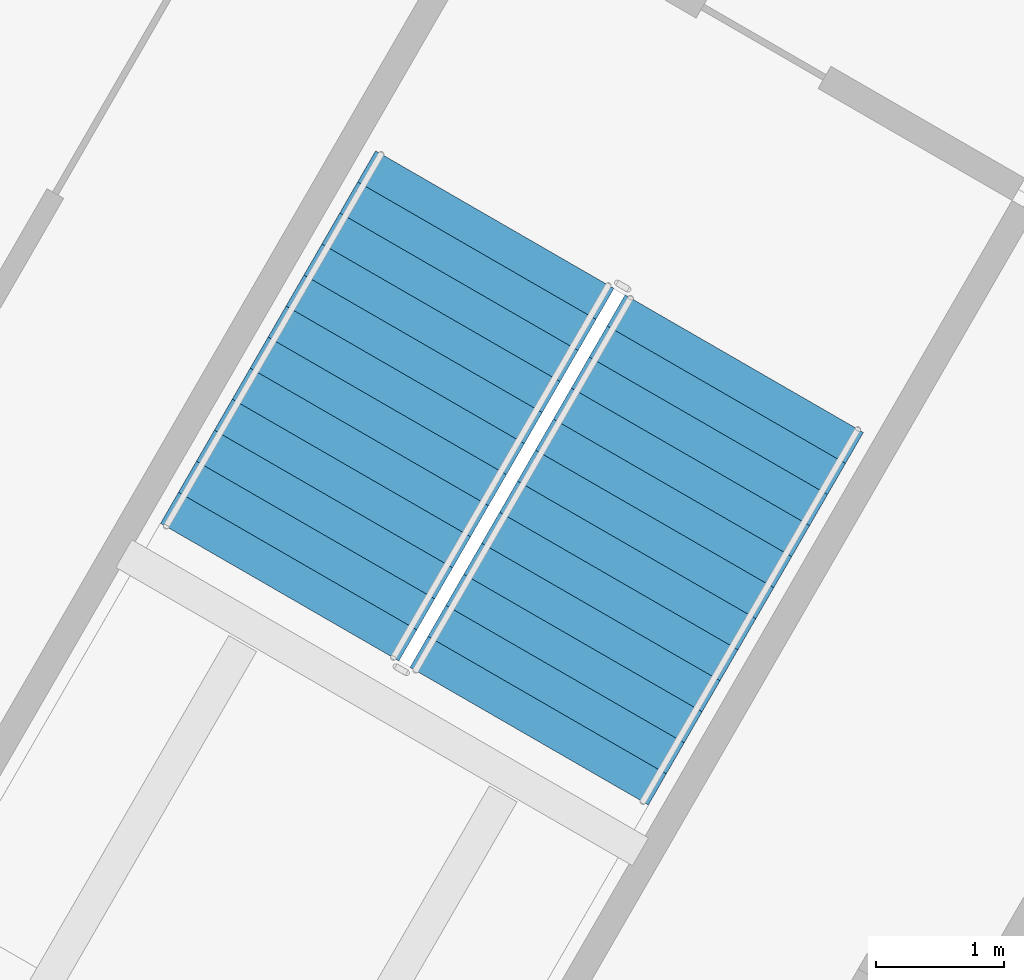
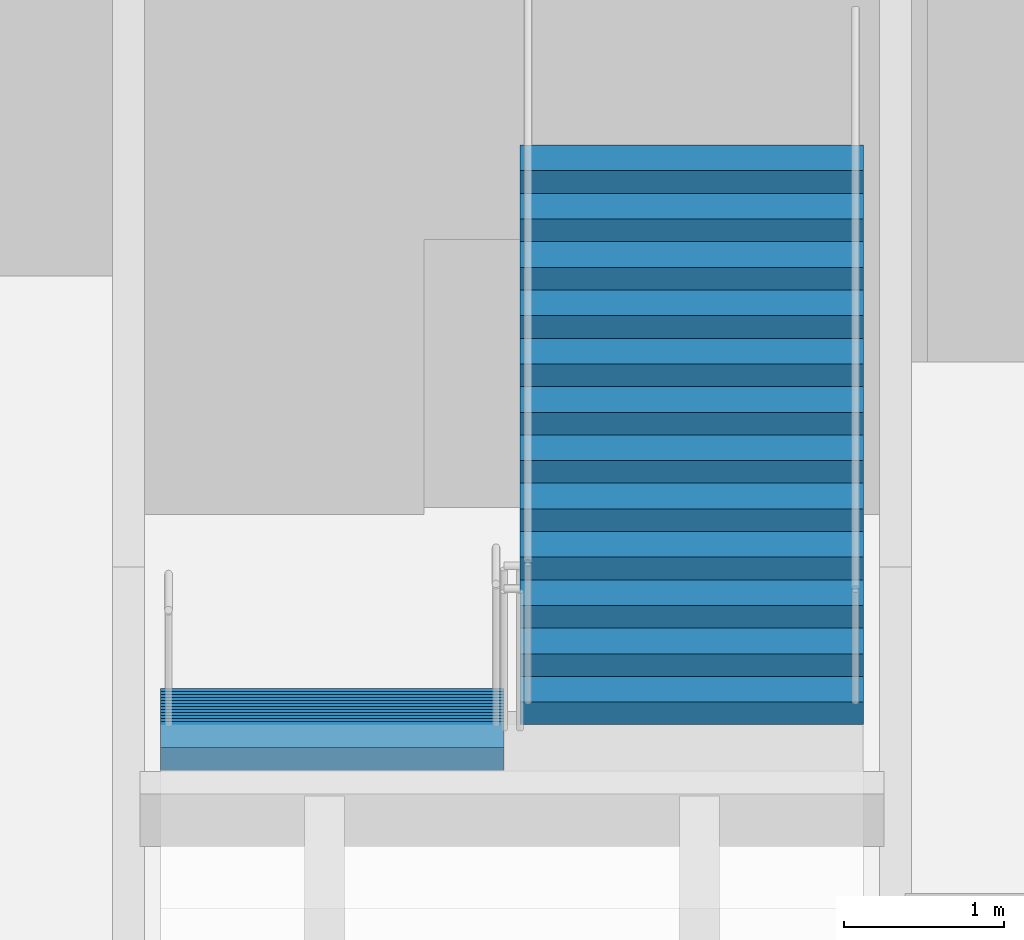
# One storey, part 10 of 20: 2 stair flights, 1 element without a shape of its own.
"""IFC4 building model written with IfcOpenShell, lengths in metres."""

from ifc_helpers import new_model, si_unit, direction, frame, origin, place, context, subcontext, project, spatial, triangles, material, type_object, element, aggregate, save


model = new_model("IFC4")

# Units and contexts
model_context = context("Model", 3, precision=1e-05, world=origin(), true_north=direction((0.0, 1.0)))
body_context = subcontext(model_context, "Body", "Model", "MODEL_VIEW")
ifc_project = project(units=[si_unit("LENGTHUNIT", "METRE"), si_unit("AREAUNIT", "SQUARE_METRE"), si_unit("VOLUMEUNIT", "CUBIC_METRE"), si_unit("PLANEANGLEUNIT", "RADIAN"), si_unit("MASSUNIT", "GRAM", prefix="KILO")], contexts=[model_context])

# Site, building, storey
site_placement = place(None, origin())
site = spatial("IfcSite", under=ifc_project, at=site_placement, CompositionType="ELEMENT")
building_placement = place(site_placement, origin())
building = spatial("IfcBuilding", under=site, at=building_placement, Name="Verdalira Terraces Hotel", CompositionType="ELEMENT")
storey_placement = place(building_placement, frame((0.0, 0.0, 23.5)))
storey = spatial("IfcBuildingStorey", under=building, at=storey_placement, Name="L04", CompositionType="ELEMENT", Elevation=23.5)

# Stair, stair flights
ifc_material_1 = material(Name="Concrete C40", Category="concrete")
stair_type = type_object("IfcStairType", Name="Podium stair 26 risers", PredefinedType="HALF_TURN_STAIR", material=ifc_material_1)
stair_placement = place(storey_placement, origin())
stair = element("IfcStair", 1, at=stair_placement, inside=storey, type_object=stair_type, Name="L04 Exit stair PS3", PredefinedType="HALF_TURN_STAIR")
ifc_material_2 = material(Name="Concrete C40", Category="concrete")
stair_flight_type = type_object("IfcStairFlightType", Name="Podium stair flight 26 risers", PredefinedType="STRAIGHT", material=ifc_material_2)
stair_flight_1_placement = place(storey_placement, frame((27.806396, -15.187988, 0.0), z_axis=(0.0, 0.0, 1.0), x_axis=(-0.5, -0.866025404, 0.0)))
stair_flight_1 = element("IfcStairFlight", 2, at=stair_flight_1_placement, type_object=stair_flight_type, Name="PS3 flight 1", NumberOfRisers=13, NumberOfTreads=12, PredefinedType="STRAIGHT", RiserHeight=0.173076923, TreadLength=0.28, context=body_context, shape_type="Tessellation", body=[
    triangles([(0.0, 1.074951, 0.0), (0.285156, 1.074951, 0.0), (3.360107, 1.074951, 1.900635), (0.0, -1.074951, 0.0), (0.285156, -1.074951, 0.0), (3.360107, -1.074951, 1.900635), (3.360107, 1.074951, 2.076904), (3.080078, 1.074951, 2.076904), (3.360107, -1.074951, 2.076904), (3.080078, -1.074951, 2.076904), (3.080078, 1.074951, 1.903809), (3.080078, -1.074951, 1.903809), (2.800049, 1.074951, 1.903809), (2.800049, -1.074951, 1.903809), (2.800049, 1.074951, 1.730713), (2.800049, -1.074951, 1.730713), (2.52002, 1.074951, 1.730713), (2.52002, 1.074951, 1.557617), (2.52002, -1.074951, 1.730713), (2.52002, -1.074951, 1.557617), (2.23999, 1.074951, 1.557617), (2.23999, 1.074951, 1.384521), (2.23999, -1.074951, 1.557617), (2.23999, -1.074951, 1.384521), (1.959961, 1.074951, 1.384521), (1.959961, 1.074951, 1.211426), (1.959961, -1.074951, 1.384521), (1.959961, -1.074951, 1.211426), (1.679932, 1.074951, 1.211426), (1.679932, 1.074951, 1.038574), (1.679932, -1.074951, 1.211426), (1.679932, -1.074951, 1.038574), (1.399902, 1.074951, 1.038574), (1.399902, 1.074951, 0.865479), (1.399902, -1.074951, 1.038574), (1.399902, -1.074951, 0.865479), (1.120117, 1.074951, 0.865479), (1.120117, 1.074951, 0.692383), (1.120117, -1.074951, 0.865479), (1.120117, -1.074951, 0.692383), (0.840088, 1.074951, 0.692383), (0.840088, 1.074951, 0.519287), (0.840088, -1.074951, 0.692383), (0.840088, -1.074951, 0.519287), (0.560059, 1.074951, 0.519287), (0.560059, 1.074951, 0.346191), (0.560059, -1.074951, 0.519287), (0.560059, -1.074951, 0.346191), (0.280029, 1.074951, 0.346191), (0.280029, 1.074951, 0.173096), (0.280029, -1.074951, 0.346191), (0.280029, -1.074951, 0.173096), (0.0, 1.074951, 0.173096), (0.0, -1.074951, 0.173096), (0.0, -1.007767, 0.0), (0.0, -1.007767, 0.173096), (0.0, -0.940582, 0.0), (0.0, -0.940582, 0.173096), (0.0, -0.873398, 0.0), (0.0, -0.873398, 0.173096), (0.0, -0.806213, 0.0), (0.0, -0.806213, 0.173096), (0.0, -0.739029, 0.0), (0.0, -0.739029, 0.173096), (0.0, -0.671844, 0.0), (0.0, -0.671844, 0.173096), (0.0, -0.60466, 0.0), (0.0, -0.60466, 0.173096), (0.0, -0.537476, 0.0), (0.0, -0.537476, 0.173096), (0.0, -0.470291, 0.0), (0.0, -0.470291, 0.173096), (0.0, -0.403107, 0.0), (0.0, -0.403107, 0.173096), (0.0, -0.335922, 0.0), (0.0, -0.335922, 0.173096), (0.0, -0.268738, 0.0), (0.0, -0.268738, 0.173096), (0.0, -0.201553, 0.0), (0.0, -0.201553, 0.173096), (0.0, -0.134369, 0.0), (0.0, -0.134369, 0.173096), (0.0, -0.067184, 0.0), (0.0, -0.067184, 0.173096), (0.0, 0.0, 0.0), (0.0, 0.0, 0.173096), (0.0, 0.067184, 0.0), (0.0, 0.067184, 0.173096), (0.0, 0.134369, 0.0), (0.0, 0.134369, 0.173096), (0.0, 0.201553, 0.0), (0.0, 0.201553, 0.173096), (0.0, 0.268738, 0.0), (0.0, 0.268738, 0.173096), (0.0, 0.335922, 0.0), (0.0, 0.335922, 0.173096), (0.0, 0.403107, 0.0), (0.0, 0.403107, 0.173096), (0.0, 0.470291, 0.0), (0.0, 0.470291, 0.173096), (0.0, 0.537476, 0.0), (0.0, 0.537476, 0.173096), (0.0, 0.60466, 0.0), (0.0, 0.60466, 0.173096), (0.0, 0.671844, 0.0), (0.0, 0.671844, 0.173096), (0.0, 0.739029, 0.0), (0.0, 0.739029, 0.173096), (0.0, 0.806213, 0.0), (0.0, 0.806213, 0.173096), (0.0, 0.873398, 0.0), (0.0, 0.873398, 0.173096), (0.0, 0.940582, 0.0), (0.0, 0.940582, 0.173096), (0.0, 1.007767, 0.0), (0.0, 1.007767, 0.173096), (3.360107, -1.007767, 2.076904), (3.360107, -0.940582, 2.076904), (3.360107, -0.873398, 2.076904), (3.360107, -0.806213, 2.076904), (3.360107, -0.739029, 2.076904), (3.360107, -0.671844, 2.076904), (3.360107, -0.60466, 2.076904), (3.360107, -0.537476, 2.076904), (3.360107, -0.470291, 2.076904), (3.360107, -0.403107, 2.076904), (3.360107, -0.335922, 2.076904), (3.360107, -0.268738, 2.076904), (3.360107, -0.201553, 2.076904), (3.360107, -0.134369, 2.076904), (3.360107, -0.067184, 2.076904), (3.360107, 0.0, 2.076904), (3.360107, 0.067184, 2.076904), (3.360107, 0.134369, 2.076904), (3.360107, 0.201553, 2.076904), (3.360107, 0.268738, 2.076904), (3.360107, 0.335922, 2.076904), (3.360107, 0.403107, 2.076904), (3.360107, 0.470291, 2.076904), (3.360107, 0.537476, 2.076904), (3.360107, 0.60466, 2.076904), (3.360107, 0.671844, 2.076904), (3.360107, 0.739029, 2.076904), (3.360107, 0.806213, 2.076904), (3.360107, 0.873398, 2.076904), (3.360107, 0.940582, 2.076904), (3.360107, 1.007767, 2.076904), (3.360107, -1.007767, 1.900635), (3.360107, -0.940582, 1.900635), (3.360107, -0.873398, 1.900635), (3.360107, -0.806213, 1.900635), (3.360107, -0.739029, 1.900635), (3.360107, -0.671844, 1.900635), (3.360107, -0.60466, 1.900635), (3.360107, -0.537476, 1.900635), (3.360107, -0.470291, 1.900635), (3.360107, -0.403107, 1.900635), (3.360107, -0.335922, 1.900635), (3.360107, -0.268738, 1.900635), (3.360107, -0.201553, 1.900635), (3.360107, -0.134369, 1.900635), (3.360107, -0.067184, 1.900635), (3.360107, 0.0, 1.900635), (3.360107, 0.067184, 1.900635), (3.360107, 0.134369, 1.900635), (3.360107, 0.201553, 1.900635), (3.360107, 0.268738, 1.900635), (3.360107, 0.335922, 1.900635), (3.360107, 0.403107, 1.900635), (3.360107, 0.470291, 1.900635), (3.360107, 0.537476, 1.900635), (3.360107, 0.60466, 1.900635), (3.360107, 0.671844, 1.900635), (3.360107, 0.739029, 1.900635), (3.360107, 0.806213, 1.900635), (3.360107, 0.873398, 1.900635), (3.360107, 0.940582, 1.900635), (3.360107, 1.007767, 1.900635)], [[1, 3, 2], [4, 5, 6], [3, 8, 7], [6, 9, 10], [3, 11, 8], [6, 10, 12], [3, 13, 11], [6, 12, 14], [3, 15, 13], [6, 14, 16], [15, 18, 17], [16, 19, 20], [3, 18, 15], [6, 16, 20], [18, 22, 21], [20, 23, 24], [3, 22, 18], [6, 20, 24], [22, 26, 25], [24, 27, 28], [3, 26, 22], [6, 24, 28], [1, 26, 3], [4, 6, 28], [26, 30, 29], [28, 31, 32], [30, 34, 33], [32, 35, 36], [26, 34, 30], [28, 32, 36], [34, 38, 37], [36, 39, 40], [26, 38, 34], [28, 36, 40], [38, 42, 41], [40, 43, 44], [26, 42, 38], [28, 40, 44], [42, 46, 45], [44, 47, 48], [26, 46, 42], [28, 44, 48], [46, 50, 49], [48, 51, 52], [26, 50, 46], [28, 48, 52], [1, 50, 26], [4, 28, 52], [50, 1, 53], [52, 54, 4], [4, 56, 55], [4, 54, 56], [55, 58, 57], [55, 56, 58], [57, 60, 59], [57, 58, 60], [59, 62, 61], [59, 60, 62], [61, 64, 63], [61, 62, 64], [63, 66, 65], [63, 64, 66], [65, 68, 67], [65, 66, 68], [67, 70, 69], [67, 68, 70], [69, 72, 71], [69, 70, 72], [71, 74, 73], [71, 72, 74], [73, 76, 75], [73, 74, 76], [75, 78, 77], [75, 76, 78], [77, 80, 79], [77, 78, 80], [79, 82, 81], [79, 80, 82], [81, 84, 83], [81, 82, 84], [83, 86, 85], [83, 84, 86], [85, 88, 87], [85, 86, 88], [87, 90, 89], [87, 88, 90], [89, 92, 91], [89, 90, 92], [91, 94, 93], [91, 92, 94], [93, 96, 95], [93, 94, 96], [95, 98, 97], [95, 96, 98], [97, 100, 99], [97, 98, 100], [99, 102, 101], [99, 100, 102], [101, 104, 103], [101, 102, 104], [103, 106, 105], [103, 104, 106], [105, 108, 107], [105, 106, 108], [107, 110, 109], [107, 108, 110], [109, 112, 111], [109, 110, 112], [111, 114, 113], [111, 112, 114], [113, 116, 115], [113, 114, 116], [115, 53, 1], [115, 116, 53], [54, 52, 56], [56, 52, 58], [58, 52, 60], [60, 52, 62], [62, 52, 64], [64, 52, 66], [66, 52, 68], [68, 52, 70], [70, 52, 72], [72, 52, 74], [74, 52, 76], [76, 52, 78], [78, 52, 80], [80, 52, 82], [82, 52, 84], [84, 52, 86], [86, 52, 88], [88, 52, 90], [90, 52, 92], [92, 52, 94], [94, 52, 96], [96, 52, 98], [98, 52, 100], [100, 52, 102], [102, 52, 104], [104, 52, 106], [106, 52, 108], [108, 52, 110], [110, 52, 112], [112, 52, 114], [114, 52, 116], [116, 52, 53], [53, 52, 50], [52, 49, 50], [52, 51, 49], [51, 46, 49], [51, 48, 46], [48, 45, 46], [48, 47, 45], [47, 42, 45], [47, 44, 42], [44, 41, 42], [44, 43, 41], [43, 38, 41], [43, 40, 38], [40, 37, 38], [40, 39, 37], [39, 34, 37], [39, 36, 34], [36, 33, 34], [36, 35, 33], [35, 30, 33], [35, 32, 30], [32, 29, 30], [32, 31, 29], [31, 26, 29], [31, 28, 26], [28, 25, 26], [28, 27, 25], [27, 22, 25], [27, 24, 22], [24, 21, 22], [24, 23, 21], [23, 18, 21], [23, 20, 18], [20, 17, 18], [20, 19, 17], [19, 15, 17], [19, 16, 15], [16, 13, 15], [16, 14, 13], [14, 11, 13], [14, 12, 11], [12, 8, 11], [12, 10, 8], [9, 117, 10], [117, 118, 10], [118, 119, 10], [119, 120, 10], [120, 121, 10], [121, 122, 10], [122, 123, 10], [123, 124, 10], [124, 125, 10], [125, 126, 10], [126, 127, 10], [127, 128, 10], [128, 129, 10], [129, 130, 10], [130, 131, 10], [131, 132, 10], [132, 133, 10], [133, 134, 10], [134, 135, 10], [135, 136, 10], [136, 137, 10], [137, 138, 10], [138, 139, 10], [139, 140, 10], [140, 141, 10], [141, 142, 10], [142, 143, 10], [143, 144, 10], [144, 145, 10], [145, 146, 10], [146, 147, 10], [147, 7, 10], [7, 8, 10], [9, 148, 117], [9, 6, 148], [117, 149, 118], [117, 148, 149], [118, 150, 119], [118, 149, 150], [119, 151, 120], [119, 150, 151], [120, 152, 121], [120, 151, 152], [121, 153, 122], [121, 152, 153], [122, 154, 123], [122, 153, 154], [123, 155, 124], [123, 154, 155], [124, 156, 125], [124, 155, 156], [125, 157, 126], [125, 156, 157], [126, 158, 127], [126, 157, 158], [127, 159, 128], [127, 158, 159], [128, 160, 129], [128, 159, 160], [129, 161, 130], [129, 160, 161], [130, 162, 131], [130, 161, 162], [131, 163, 132], [131, 162, 163], [132, 164, 133], [132, 163, 164], [133, 165, 134], [133, 164, 165], [134, 166, 135], [134, 165, 166], [135, 167, 136], [135, 166, 167], [136, 168, 137], [136, 167, 168], [137, 169, 138], [137, 168, 169], [138, 170, 139], [138, 169, 170], [139, 171, 140], [139, 170, 171], [140, 172, 141], [140, 171, 172], [141, 173, 142], [141, 172, 173], [142, 174, 143], [142, 173, 174], [143, 175, 144], [143, 174, 175], [144, 176, 145], [144, 175, 176], [145, 177, 146], [145, 176, 177], [146, 178, 147], [146, 177, 178], [147, 3, 7], [147, 178, 3], [6, 5, 148], [148, 5, 149], [149, 5, 150], [150, 5, 151], [151, 5, 152], [152, 5, 153], [153, 5, 154], [154, 5, 155], [155, 5, 156], [156, 5, 157], [157, 5, 158], [158, 5, 159], [159, 5, 160], [160, 5, 161], [161, 5, 162], [162, 5, 163], [163, 5, 164], [164, 5, 165], [165, 5, 166], [166, 5, 167], [167, 5, 168], [168, 5, 169], [169, 5, 170], [170, 5, 171], [171, 5, 172], [172, 5, 173], [173, 5, 174], [174, 5, 175], [175, 5, 176], [176, 5, 177], [177, 5, 178], [178, 5, 3], [3, 5, 2], [4, 55, 5], [55, 57, 5], [57, 59, 5], [59, 61, 5], [61, 63, 5], [63, 65, 5], [65, 67, 5], [67, 69, 5], [69, 71, 5], [71, 73, 5], [73, 75, 5], [75, 77, 5], [77, 79, 5], [79, 81, 5], [81, 83, 5], [83, 85, 5], [85, 87, 5], [87, 89, 5], [89, 91, 5], [91, 93, 5], [93, 95, 5], [95, 97, 5], [97, 99, 5], [99, 101, 5], [101, 103, 5], [103, 105, 5], [105, 107, 5], [107, 109, 5], [109, 111, 5], [111, 113, 5], [113, 115, 5], [115, 1, 5], [1, 2, 5]], closed=True),
])
stair_flight_2_placement = place(storey_placement, frame((28.074951, -19.2229, 2.25), z_axis=(0.0, 0.0, 1.0), x_axis=(0.5, 0.866025404, 0.0)))
stair_flight_2 = element("IfcStairFlight", 3, at=stair_flight_2_placement, type_object=stair_flight_type, Name="PS3 flight 2", NumberOfRisers=13, NumberOfTreads=12, PredefinedType="STRAIGHT", RiserHeight=0.173076923, TreadLength=0.28, context=body_context, shape_type="Tessellation", body=[
    triangles([(0.0, 1.074951, 0.0), (0.285156, 1.074951, 0.0), (3.360107, 1.074951, 1.900635), (0.0, -1.074951, 0.0), (0.285156, -1.074951, 0.0), (3.360107, -1.074951, 1.900635), (3.360107, 1.074951, 2.076904), (3.080078, 1.074951, 2.076904), (3.360107, -1.074951, 2.076904), (3.080078, -1.074951, 2.076904), (3.080078, 1.074951, 1.903809), (3.080078, -1.074951, 1.903809), (2.800049, 1.074951, 1.903809), (2.800049, -1.074951, 1.903809), (2.800049, 1.074951, 1.730713), (2.800049, -1.074951, 1.730713), (2.52002, 1.074951, 1.730713), (2.52002, 1.074951, 1.557617), (2.52002, -1.074951, 1.730713), (2.52002, -1.074951, 1.557617), (2.23999, 1.074951, 1.557617), (2.23999, 1.074951, 1.384521), (2.23999, -1.074951, 1.557617), (2.23999, -1.074951, 1.384521), (1.959961, 1.074951, 1.384521), (1.959961, 1.074951, 1.211426), (1.959961, -1.074951, 1.384521), (1.959961, -1.074951, 1.211426), (1.679932, 1.074951, 1.211426), (1.679932, 1.074951, 1.038574), (1.679932, -1.074951, 1.211426), (1.679932, -1.074951, 1.038574), (1.399902, 1.074951, 1.038574), (1.399902, 1.074951, 0.865479), (1.399902, -1.074951, 1.038574), (1.399902, -1.074951, 0.865479), (1.120117, 1.074951, 0.865479), (1.120117, 1.074951, 0.692383), (1.120117, -1.074951, 0.865479), (1.120117, -1.074951, 0.692383), (0.840088, 1.074951, 0.692383), (0.840088, 1.074951, 0.519287), (0.840088, -1.074951, 0.692383), (0.840088, -1.074951, 0.519287), (0.560059, 1.074951, 0.519287), (0.560059, 1.074951, 0.346191), (0.560059, -1.074951, 0.519287), (0.560059, -1.074951, 0.346191), (0.280029, 1.074951, 0.346191), (0.280029, 1.074951, 0.173096), (0.280029, -1.074951, 0.346191), (0.280029, -1.074951, 0.173096), (0.0, 1.074951, 0.173096), (0.0, -1.074951, 0.173096), (0.0, -1.007767, 0.0), (0.0, -1.007767, 0.173096), (0.0, -0.940582, 0.0), (0.0, -0.940582, 0.173096), (0.0, -0.873398, 0.0), (0.0, -0.873398, 0.173096), (0.0, -0.806213, 0.0), (0.0, -0.806213, 0.173096), (0.0, -0.739029, 0.0), (0.0, -0.739029, 0.173096), (0.0, -0.671844, 0.0), (0.0, -0.671844, 0.173096), (0.0, -0.60466, 0.0), (0.0, -0.60466, 0.173096), (0.0, -0.537476, 0.0), (0.0, -0.537476, 0.173096), (0.0, -0.470291, 0.0), (0.0, -0.470291, 0.173096), (0.0, -0.403107, 0.0), (0.0, -0.403107, 0.173096), (0.0, -0.335922, 0.0), (0.0, -0.335922, 0.173096), (0.0, -0.268738, 0.0), (0.0, -0.268738, 0.173096), (0.0, -0.201553, 0.0), (0.0, -0.201553, 0.173096), (0.0, -0.134369, 0.0), (0.0, -0.134369, 0.173096), (0.0, -0.067184, 0.0), (0.0, -0.067184, 0.173096), (0.0, 0.0, 0.0), (0.0, 0.0, 0.173096), (0.0, 0.067184, 0.0), (0.0, 0.067184, 0.173096), (0.0, 0.134369, 0.0), (0.0, 0.134369, 0.173096), (0.0, 0.201553, 0.0), (0.0, 0.201553, 0.173096), (0.0, 0.268738, 0.0), (0.0, 0.268738, 0.173096), (0.0, 0.335922, 0.0), (0.0, 0.335922, 0.173096), (0.0, 0.403107, 0.0), (0.0, 0.403107, 0.173096), (0.0, 0.470291, 0.0), (0.0, 0.470291, 0.173096), (0.0, 0.537476, 0.0), (0.0, 0.537476, 0.173096), (0.0, 0.60466, 0.0), (0.0, 0.60466, 0.173096), (0.0, 0.671844, 0.0), (0.0, 0.671844, 0.173096), (0.0, 0.739029, 0.0), (0.0, 0.739029, 0.173096), (0.0, 0.806213, 0.0), (0.0, 0.806213, 0.173096), (0.0, 0.873398, 0.0), (0.0, 0.873398, 0.173096), (0.0, 0.940582, 0.0), (0.0, 0.940582, 0.173096), (0.0, 1.007767, 0.0), (0.0, 1.007767, 0.173096), (3.360107, -1.007767, 2.076904), (3.360107, -0.940582, 2.076904), (3.360107, -0.873398, 2.076904), (3.360107, -0.806213, 2.076904), (3.360107, -0.739029, 2.076904), (3.360107, -0.671844, 2.076904), (3.360107, -0.60466, 2.076904), (3.360107, -0.537476, 2.076904), (3.360107, -0.470291, 2.076904), (3.360107, -0.403107, 2.076904), (3.360107, -0.335922, 2.076904), (3.360107, -0.268738, 2.076904), (3.360107, -0.201553, 2.076904), (3.360107, -0.134369, 2.076904), (3.360107, -0.067184, 2.076904), (3.360107, 0.0, 2.076904), (3.360107, 0.067184, 2.076904), (3.360107, 0.134369, 2.076904), (3.360107, 0.201553, 2.076904), (3.360107, 0.268738, 2.076904), (3.360107, 0.335922, 2.076904), (3.360107, 0.403107, 2.076904), (3.360107, 0.470291, 2.076904), (3.360107, 0.537476, 2.076904), (3.360107, 0.60466, 2.076904), (3.360107, 0.671844, 2.076904), (3.360107, 0.739029, 2.076904), (3.360107, 0.806213, 2.076904), (3.360107, 0.873398, 2.076904), (3.360107, 0.940582, 2.076904), (3.360107, 1.007767, 2.076904), (3.360107, -1.007767, 1.900635), (3.360107, -0.940582, 1.900635), (3.360107, -0.873398, 1.900635), (3.360107, -0.806213, 1.900635), (3.360107, -0.739029, 1.900635), (3.360107, -0.671844, 1.900635), (3.360107, -0.60466, 1.900635), (3.360107, -0.537476, 1.900635), (3.360107, -0.470291, 1.900635), (3.360107, -0.403107, 1.900635), (3.360107, -0.335922, 1.900635), (3.360107, -0.268738, 1.900635), (3.360107, -0.201553, 1.900635), (3.360107, -0.134369, 1.900635), (3.360107, -0.067184, 1.900635), (3.360107, 0.0, 1.900635), (3.360107, 0.067184, 1.900635), (3.360107, 0.134369, 1.900635), (3.360107, 0.201553, 1.900635), (3.360107, 0.268738, 1.900635), (3.360107, 0.335922, 1.900635), (3.360107, 0.403107, 1.900635), (3.360107, 0.470291, 1.900635), (3.360107, 0.537476, 1.900635), (3.360107, 0.60466, 1.900635), (3.360107, 0.671844, 1.900635), (3.360107, 0.739029, 1.900635), (3.360107, 0.806213, 1.900635), (3.360107, 0.873398, 1.900635), (3.360107, 0.940582, 1.900635), (3.360107, 1.007767, 1.900635)], [[1, 3, 2], [4, 5, 6], [3, 8, 7], [6, 9, 10], [3, 11, 8], [6, 10, 12], [3, 13, 11], [6, 12, 14], [3, 15, 13], [6, 14, 16], [15, 18, 17], [16, 19, 20], [3, 18, 15], [6, 16, 20], [18, 22, 21], [20, 23, 24], [3, 22, 18], [6, 20, 24], [22, 26, 25], [24, 27, 28], [3, 26, 22], [6, 24, 28], [1, 26, 3], [4, 6, 28], [26, 30, 29], [28, 31, 32], [30, 34, 33], [32, 35, 36], [26, 34, 30], [28, 32, 36], [34, 38, 37], [36, 39, 40], [26, 38, 34], [28, 36, 40], [38, 42, 41], [40, 43, 44], [26, 42, 38], [28, 40, 44], [42, 46, 45], [44, 47, 48], [26, 46, 42], [28, 44, 48], [46, 50, 49], [48, 51, 52], [26, 50, 46], [28, 48, 52], [1, 50, 26], [4, 28, 52], [50, 1, 53], [52, 54, 4], [4, 56, 55], [4, 54, 56], [55, 58, 57], [55, 56, 58], [57, 60, 59], [57, 58, 60], [59, 62, 61], [59, 60, 62], [61, 64, 63], [61, 62, 64], [63, 66, 65], [63, 64, 66], [65, 68, 67], [65, 66, 68], [67, 70, 69], [67, 68, 70], [69, 72, 71], [69, 70, 72], [71, 74, 73], [71, 72, 74], [73, 76, 75], [73, 74, 76], [75, 78, 77], [75, 76, 78], [77, 80, 79], [77, 78, 80], [79, 82, 81], [79, 80, 82], [81, 84, 83], [81, 82, 84], [83, 86, 85], [83, 84, 86], [85, 88, 87], [85, 86, 88], [87, 90, 89], [87, 88, 90], [89, 92, 91], [89, 90, 92], [91, 94, 93], [91, 92, 94], [93, 96, 95], [93, 94, 96], [95, 98, 97], [95, 96, 98], [97, 100, 99], [97, 98, 100], [99, 102, 101], [99, 100, 102], [101, 104, 103], [101, 102, 104], [103, 106, 105], [103, 104, 106], [105, 108, 107], [105, 106, 108], [107, 110, 109], [107, 108, 110], [109, 112, 111], [109, 110, 112], [111, 114, 113], [111, 112, 114], [113, 116, 115], [113, 114, 116], [115, 53, 1], [115, 116, 53], [54, 52, 56], [56, 52, 58], [58, 52, 60], [60, 52, 62], [62, 52, 64], [64, 52, 66], [66, 52, 68], [68, 52, 70], [70, 52, 72], [72, 52, 74], [74, 52, 76], [76, 52, 78], [78, 52, 80], [80, 52, 82], [82, 52, 84], [84, 52, 86], [86, 52, 88], [88, 52, 90], [90, 52, 92], [92, 52, 94], [94, 52, 96], [96, 52, 98], [98, 52, 100], [100, 52, 102], [102, 52, 104], [104, 52, 106], [106, 52, 108], [108, 52, 110], [110, 52, 112], [112, 52, 114], [114, 52, 116], [116, 52, 53], [53, 52, 50], [52, 49, 50], [52, 51, 49], [51, 46, 49], [51, 48, 46], [48, 45, 46], [48, 47, 45], [47, 42, 45], [47, 44, 42], [44, 41, 42], [44, 43, 41], [43, 38, 41], [43, 40, 38], [40, 37, 38], [40, 39, 37], [39, 34, 37], [39, 36, 34], [36, 33, 34], [36, 35, 33], [35, 30, 33], [35, 32, 30], [32, 29, 30], [32, 31, 29], [31, 26, 29], [31, 28, 26], [28, 25, 26], [28, 27, 25], [27, 22, 25], [27, 24, 22], [24, 21, 22], [24, 23, 21], [23, 18, 21], [23, 20, 18], [20, 17, 18], [20, 19, 17], [19, 15, 17], [19, 16, 15], [16, 13, 15], [16, 14, 13], [14, 11, 13], [14, 12, 11], [12, 8, 11], [12, 10, 8], [9, 117, 10], [117, 118, 10], [118, 119, 10], [119, 120, 10], [120, 121, 10], [121, 122, 10], [122, 123, 10], [123, 124, 10], [124, 125, 10], [125, 126, 10], [126, 127, 10], [127, 128, 10], [128, 129, 10], [129, 130, 10], [130, 131, 10], [131, 132, 10], [132, 133, 10], [133, 134, 10], [134, 135, 10], [135, 136, 10], [136, 137, 10], [137, 138, 10], [138, 139, 10], [139, 140, 10], [140, 141, 10], [141, 142, 10], [142, 143, 10], [143, 144, 10], [144, 145, 10], [145, 146, 10], [146, 147, 10], [147, 7, 10], [7, 8, 10], [9, 148, 117], [9, 6, 148], [117, 149, 118], [117, 148, 149], [118, 150, 119], [118, 149, 150], [119, 151, 120], [119, 150, 151], [120, 152, 121], [120, 151, 152], [121, 153, 122], [121, 152, 153], [122, 154, 123], [122, 153, 154], [123, 155, 124], [123, 154, 155], [124, 156, 125], [124, 155, 156], [125, 157, 126], [125, 156, 157], [126, 158, 127], [126, 157, 158], [127, 159, 128], [127, 158, 159], [128, 160, 129], [128, 159, 160], [129, 161, 130], [129, 160, 161], [130, 162, 131], [130, 161, 162], [131, 163, 132], [131, 162, 163], [132, 164, 133], [132, 163, 164], [133, 165, 134], [133, 164, 165], [134, 166, 135], [134, 165, 166], [135, 167, 136], [135, 166, 167], [136, 168, 137], [136, 167, 168], [137, 169, 138], [137, 168, 169], [138, 170, 139], [138, 169, 170], [139, 171, 140], [139, 170, 171], [140, 172, 141], [140, 171, 172], [141, 173, 142], [141, 172, 173], [142, 174, 143], [142, 173, 174], [143, 175, 144], [143, 174, 175], [144, 176, 145], [144, 175, 176], [145, 177, 146], [145, 176, 177], [146, 178, 147], [146, 177, 178], [147, 3, 7], [147, 178, 3], [6, 5, 148], [148, 5, 149], [149, 5, 150], [150, 5, 151], [151, 5, 152], [152, 5, 153], [153, 5, 154], [154, 5, 155], [155, 5, 156], [156, 5, 157], [157, 5, 158], [158, 5, 159], [159, 5, 160], [160, 5, 161], [161, 5, 162], [162, 5, 163], [163, 5, 164], [164, 5, 165], [165, 5, 166], [166, 5, 167], [167, 5, 168], [168, 5, 169], [169, 5, 170], [170, 5, 171], [171, 5, 172], [172, 5, 173], [173, 5, 174], [174, 5, 175], [175, 5, 176], [176, 5, 177], [177, 5, 178], [178, 5, 3], [3, 5, 2], [4, 55, 5], [55, 57, 5], [57, 59, 5], [59, 61, 5], [61, 63, 5], [63, 65, 5], [65, 67, 5], [67, 69, 5], [69, 71, 5], [71, 73, 5], [73, 75, 5], [75, 77, 5], [77, 79, 5], [79, 81, 5], [81, 83, 5], [83, 85, 5], [85, 87, 5], [87, 89, 5], [89, 91, 5], [91, 93, 5], [93, 95, 5], [95, 97, 5], [97, 99, 5], [99, 101, 5], [101, 103, 5], [103, 105, 5], [105, 107, 5], [107, 109, 5], [109, 111, 5], [111, 113, 5], [113, 115, 5], [115, 1, 5], [1, 2, 5]], closed=True),
])
aggregate(stair, [stair_flight_1, stair_flight_2])

save(model, "model.ifc")
